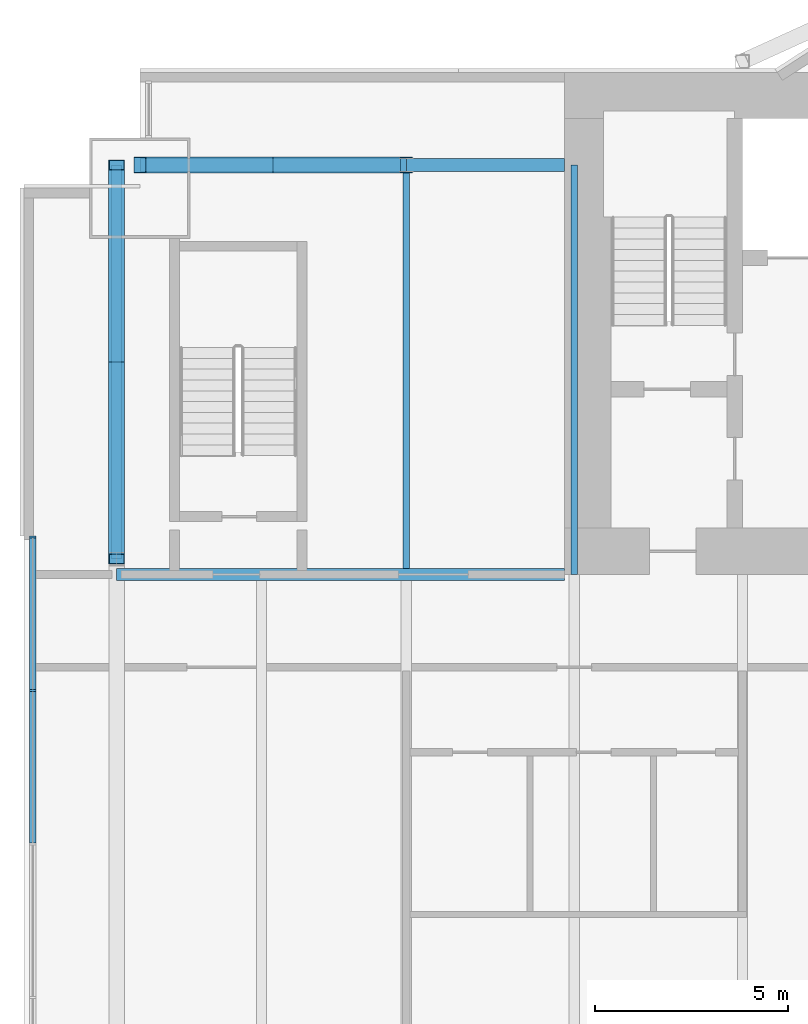
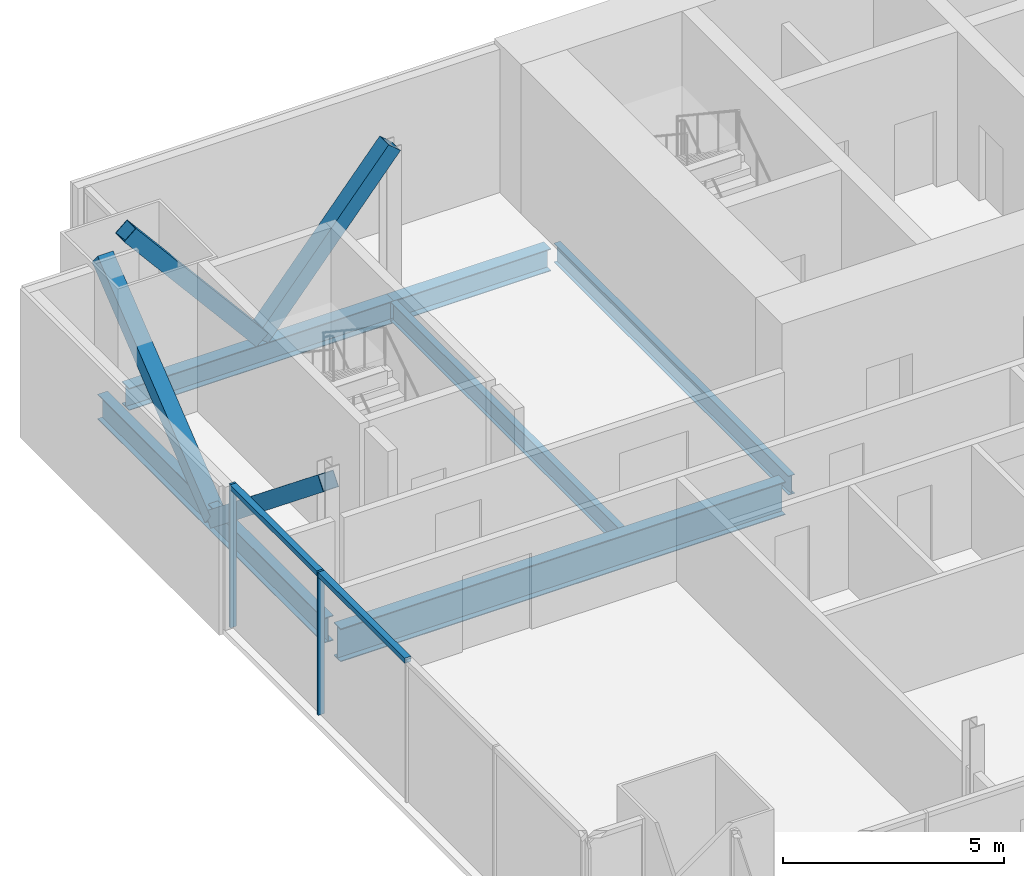
# One storey, part 7 of 20: 8 members, 6 beams, 1 element without a shape of its own.
"""IFC4 building model written with IfcOpenShell, lengths in metres."""

from ifc_helpers import new_model, si_unit, direction, frame, origin, origin_2d, place, context, subcontext, project, spatial, rectangle, hollow_rectangle, i_section, extrude, material, material_profile, profile_set, type_object, element, aggregate, save


model = new_model("IFC4")

# Units and contexts
model_context = context("Model", 3, precision=1e-05, world=origin(), true_north=direction((0.0, 1.0)))
body_context = subcontext(model_context, "Body", "Model", "MODEL_VIEW")
ifc_project = project(units=[si_unit("LENGTHUNIT", "METRE"), si_unit("AREAUNIT", "SQUARE_METRE"), si_unit("VOLUMEUNIT", "CUBIC_METRE"), si_unit("PLANEANGLEUNIT", "RADIAN"), si_unit("MASSUNIT", "GRAM", prefix="KILO")], contexts=[model_context])

# Site, building, storey
site_placement = place(None, origin())
site = spatial("IfcSite", under=ifc_project, at=site_placement, CompositionType="ELEMENT")
building_placement = place(site_placement, origin())
building = spatial("IfcBuilding", under=site, at=building_placement, Name="Bicima Exchange Tower", CompositionType="ELEMENT")
storey_placement = place(building_placement, frame((0.0, 0.0, 223.699951171875)))
storey = spatial("IfcBuildingStorey", under=building, at=storey_placement, Name="L50", CompositionType="ELEMENT", Elevation=223.699951171875)

# Beam
ifc_material_1 = material(Name="Steel ASTM A992 Gr 50", Category="steel")
ifc_material_profile_1 = material_profile(ifc_material_1, i_section(OverallWidth=0.3046875, OverallDepth=0.911865234375, WebThickness=0.015869140625, FlangeThickness=0.02392578125, at=origin_2d()))
ifc_profile_set_1 = profile_set([ifc_material_profile_1], Name="Steel ASTM A992 Gr 50")
beam_type_1 = type_object("IfcBeamType", Name="Core-line girder W36x150", PredefinedType="BEAM", material=ifc_profile_set_1)
beam_1_placement = place(storey_placement, frame((-22.0, -13.0, -0.60595703125), z_axis=(-1.0, 0.0, 0.0), x_axis=(0.0, -1.0, 0.0)))
element("IfcBeam", 1, at=beam_1_placement, inside=storey, type_object=beam_type_1, Name="Core-line girder", PredefinedType="BEAM", context=body_context, shape_type="SweptSolid", body=[
    extrude(i_section(OverallWidth=0.3046875, OverallDepth=0.911865234375, WebThickness=0.015869140625, FlangeThickness=0.02392578125, at=origin_2d()), origin(), (0.0, 0.0, 1.0), 11.60009765625),
])

# Curtain wall, members
ifc_material_2 = material(Name="Anodised bronze aluminium", Category="aluminium")
curtain_wall_type = type_object("IfcCurtainWallType", Name="End face glass wall", PredefinedType="NOTDEFINED", material=ifc_material_2)
curtain_wall_placement = place(storey_placement, origin())
curtain_wall = element("IfcCurtainWall", 2, at=curtain_wall_placement, inside=storey, type_object=curtain_wall_type, Name="End face glass wall L50 run 2", PredefinedType="NOTDEFINED")
ifc_material_profile_2 = material_profile(ifc_material_2, rectangle(XDim=0.159912109375, YDim=0.06005859375, at=origin_2d()))
ifc_profile_set_2 = profile_set([ifc_material_profile_2], Name="Anodised bronze aluminium")
member_type_1 = type_object("IfcMemberType", Name="End face glass wall mullion 60 x 160", PredefinedType="MULLION", material=ifc_profile_set_2)
member_1_placement = place(storey_placement, frame((-35.77001953125, -12.030029296875, 0.0), z_axis=(0.0, 0.0, 1.0), x_axis=(1.0, 0.0, 0.0)))
member_1 = element("IfcMember", 3, at=member_1_placement, type_object=member_type_1, Name="End face glass wall mullion 1", PredefinedType="MULLION", context=body_context, shape_type="SweptSolid", body=[
    extrude(rectangle(XDim=0.159912109375, YDim=0.06005859375, at=origin_2d()), origin(), (0.0, 0.0, 1.0), 3.949951171875),
])
member_2_placement = place(storey_placement, frame((-35.77001953125, -16.00341796875, 0.0), z_axis=(0.0, 0.0, 1.0), x_axis=(1.0, 0.0, 0.0)))
member_2 = element("IfcMember", 4, at=member_2_placement, type_object=member_type_1, Name="End face glass wall mullion 2", PredefinedType="MULLION", context=body_context, shape_type="SweptSolid", body=[
    extrude(rectangle(XDim=0.159912109375, YDim=0.06005859375, at=origin_2d()), origin(), (0.0, 0.0, 1.0), 3.949951171875),
])
ifc_material_profile_3 = material_profile(ifc_material_2, rectangle(XDim=0.159912109375, YDim=0.139892578125, at=origin_2d()))
ifc_profile_set_3 = profile_set([ifc_material_profile_3], Name="Anodised bronze aluminium")
member_type_2 = type_object("IfcMemberType", Name="End face glass wall transom 140 x 160", PredefinedType="USERDEFINED", material=ifc_profile_set_3)
member_3_placement = place(storey_placement, frame((-35.77001953125, -12.06005859375, 3.880126953125), z_axis=(0.0, -1.0, 0.0), x_axis=(1.0, 0.0, 0.0)))
member_3 = element("IfcMember", 5, at=member_3_placement, type_object=member_type_2, Name="End face glass wall transom 1.1", ObjectType="TRANSOM", PredefinedType="USERDEFINED", context=body_context, shape_type="SweptSolid", body=[
    extrude(rectangle(XDim=0.159912109375, YDim=0.139892578125, at=origin_2d()), origin(), (0.0, 0.0, 1.0), 3.913330078125),
])
member_4_placement = place(storey_placement, frame((-35.77001953125, -16.033447265625, 3.880126953125), z_axis=(0.0, -1.0, 0.0), x_axis=(1.0, 0.0, 0.0)))
member_4 = element("IfcMember", 6, at=member_4_placement, type_object=member_type_2, Name="End face glass wall transom 2.1", ObjectType="TRANSOM", PredefinedType="USERDEFINED", context=body_context, shape_type="SweptSolid", body=[
    extrude(rectangle(XDim=0.159912109375, YDim=0.139892578125, at=origin_2d()), origin(), (0.0, 0.0, 1.0), 3.91357421875),
])
aggregate(curtain_wall, [member_1, member_2, member_3, member_4])

# Beams
ifc_material_profile_4 = material_profile(ifc_material_1, i_section(OverallWidth=0.256591796875, OverallDepth=0.693359375, WebThickness=0.014404296875, FlangeThickness=0.023681640625, at=origin_2d()))
ifc_profile_set_4 = profile_set([ifc_material_profile_4], Name="Steel ASTM A992 Gr 50")
beam_type_2 = type_object("IfcBeamType", Name="End girder W27x114", PredefinedType="BEAM", material=ifc_profile_set_4)
beam_2_placement = place(storey_placement, frame((-33.60009765625, -2.39990234375, -0.49658203125), z_axis=(0.0, -1.0, 0.0), x_axis=(1.0, 0.0, 0.0)))
element("IfcBeam", 7, at=beam_2_placement, inside=storey, type_object=beam_type_2, Name="End girder", PredefinedType="BEAM", context=body_context, shape_type="SweptSolid", body=[
    extrude(i_section(OverallWidth=0.256591796875, OverallDepth=0.693359375, WebThickness=0.014404296875, FlangeThickness=0.023681640625, at=origin_2d()), origin(), (0.0, 0.0, 1.0), 10.2001953125),
])
ifc_material_profile_5 = material_profile(ifc_material_1, i_section(OverallWidth=0.165771484375, OverallDepth=0.5283203125, WebThickness=0.009765625, FlangeThickness=0.013671875, at=origin_2d()))
ifc_profile_set_5 = profile_set([ifc_material_profile_5], Name="Steel ASTM A992 Gr 50")
beam_type_3 = type_object("IfcBeamType", Name="Floor beam W21x50", PredefinedType="JOIST", material=ifc_profile_set_5)
beam_3_placement = place(storey_placement, frame((-26.10009765625, -2.5625, -0.4140625), z_axis=(0.0, -1.0, 0.0), x_axis=(1.0, 0.0, 0.0)))
element("IfcBeam", 8, at=beam_3_placement, inside=storey, type_object=beam_type_3, Name="Floor beam", PredefinedType="JOIST", context=body_context, shape_type="SweptSolid", body=[
    extrude(i_section(OverallWidth=0.165771484375, OverallDepth=0.5283203125, WebThickness=0.009765625, FlangeThickness=0.013671875, at=origin_2d()), origin(), (0.0, 0.0, 1.0), 10.28515625),
])
beam_4_placement = place(storey_placement, frame((-21.75, -2.39990234375, -0.4140625), z_axis=(0.0, -1.0, 0.0), x_axis=(1.0, 0.0, 0.0)))
element("IfcBeam", 9, at=beam_4_placement, inside=storey, type_object=beam_type_3, Name="Floor beam", PredefinedType="JOIST", context=body_context, shape_type="SweptSolid", body=[
    extrude(i_section(OverallWidth=0.165771484375, OverallDepth=0.5283203125, WebThickness=0.009765625, FlangeThickness=0.013671875, at=origin_2d()), origin(), (0.0, 0.0, 1.0), 10.60009765625),
])

# Members
ifc_material_3 = material(Name="Steel ASTM A572 Gr 50", Category="steel")
ifc_material_profile_6 = material_profile(ifc_material_3, hollow_rectangle(XDim=0.406494140625, YDim=0.406494140625, WallThickness=0.0146484375, at=origin_2d()))
ifc_profile_set_6 = profile_set([ifc_material_profile_6], Name="Steel ASTM A572 Gr 50")
member_type_3 = type_object("IfcMemberType", Name="Mega brace HSS16x16x5/8", PredefinedType="BRACE", material=ifc_profile_set_6)
for number, where, z_axis, x_axis, name in (
    (10, (-29.550048828125, -2.39990234375, 0.0), (0.643834042494, 0.0, 0.765165162384), (0.0, 1.0, 0.0), "Mega brace rear"),
    (11, (-29.550048828125, -2.39990234375, 0.0), (-0.643834042494, 0.0, 0.765165162384), (0.0, -1.0, 0.0), "Mega brace rear"),
):
    element("IfcMember", number, at=place(storey_placement, frame(where, z_axis=z_axis, x_axis=x_axis)), inside=storey, type_object=member_type_3, Name=name, PredefinedType="BRACE", context=body_context, shape_type="SweptSolid", body=[
        extrude(hollow_rectangle(XDim=0.406494140625, YDim=0.406494140625, WallThickness=0.0146484375, at=origin_2d()), origin(), (0.0, 0.0, 1.0), 5.3583984375),
    ])
for number, where, z_axis, x_axis, name in (
    (12, (-33.60009765625, -7.5, -0.49658203125), (0.0, -0.779392460608, 0.626536026376), (1.0, 0.0, 0.0), "Mega brace west end"),
    (13, (-33.60009765625, -7.5, -0.49658203125), (0.0, 0.779392460608, 0.626536026376), (-1.0, 0.0, 0.0), "Mega brace west end"),
):
    element("IfcMember", number, at=place(storey_placement, frame(where, z_axis=z_axis, x_axis=x_axis)), inside=storey, type_object=member_type_3, Name=name, PredefinedType="BRACE", context=body_context, shape_type="SweptSolid", body=[
        extrude(hollow_rectangle(XDim=0.406494140625, YDim=0.406494140625, WallThickness=0.0146484375, at=origin_2d()), origin(), (0.0, 0.0, 1.0), 6.543701171875),
    ])

# Beams
ifc_material_profile_7 = material_profile(ifc_material_1, i_section(OverallWidth=0.3251953125, OverallDepth=0.612060546875, WebThickness=0.0126953125, FlangeThickness=0.01904296875, at=origin_2d()))
ifc_profile_set_7 = profile_set([ifc_material_profile_7], Name="Steel ASTM A992 Gr 50")
beam_type_4 = type_object("IfcBeamType", Name="Rear girder W24x104", PredefinedType="BEAM", material=ifc_profile_set_7)
beam_5_placement = place(storey_placement, frame((-22.0, -2.39990234375, -0.4560546875), z_axis=(-1.0, 0.0, 0.0), x_axis=(0.0, -1.0, 0.0)))
element("IfcBeam", 14, at=beam_5_placement, inside=storey, type_object=beam_type_4, Name="Rear girder", PredefinedType="BEAM", context=body_context, shape_type="SweptSolid", body=[
    extrude(i_section(OverallWidth=0.3251953125, OverallDepth=0.612060546875, WebThickness=0.0126953125, FlangeThickness=0.01904296875, at=origin_2d()), origin(), (0.0, 0.0, 1.0), 4.10009765625),
])
beam_6_placement = place(storey_placement, frame((-26.10009765625, -2.39990234375, -0.4560546875), z_axis=(-1.0, 0.0, 0.0), x_axis=(0.0, -1.0, 0.0)))
element("IfcBeam", 15, at=beam_6_placement, inside=storey, type_object=beam_type_4, Name="Rear girder", PredefinedType="BEAM", context=body_context, shape_type="SweptSolid", body=[
    extrude(i_section(OverallWidth=0.3251953125, OverallDepth=0.612060546875, WebThickness=0.0126953125, FlangeThickness=0.01904296875, at=origin_2d()), origin(), (0.0, 0.0, 1.0), 6.89990234375),
])

save(model, "model.ifc")
